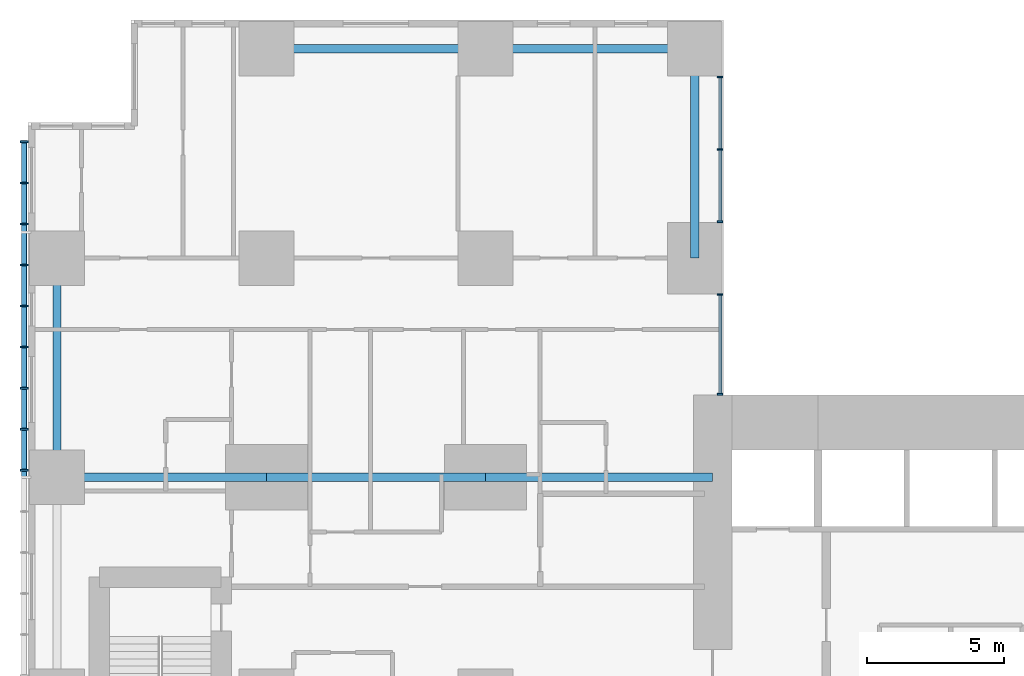
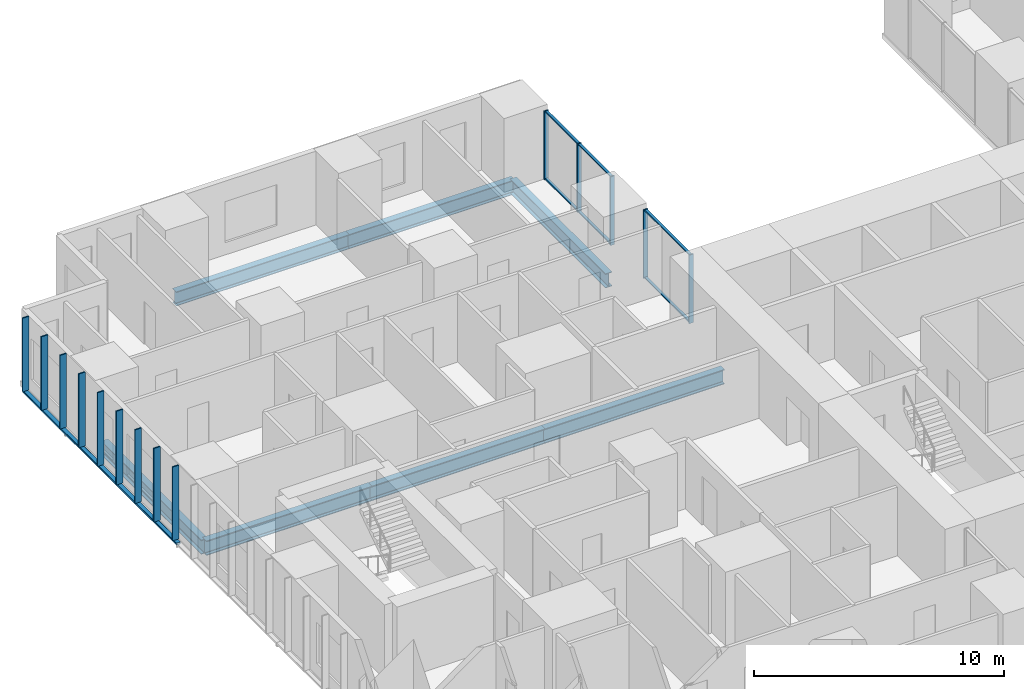
# One storey, part 4 of 21: 21 members, 7 beams, 2 elements without a shape of their own.
"""IFC4 building model written with IfcOpenShell, lengths in metres."""

import ifcopenshell
import ifcopenshell.guid

model = None  # the IFC model being written
_history = None  # IfcOwnerHistory: only IFC2X3 demands one
_inside = {}  # id of a spatial element -> (the spatial element, [elements in it])
_under = {}  # id of a project, library or spatial element -> (it, [spatial elements below it])
_declared = {}  # id of a project -> (the project, [libraries it declares])
_typed = {}  # id of a type object -> (the type object, [elements of that type])
_made_of = {}  # id of a material, layer set ... -> (it, [elements and type objects made of it])


def new_model(schema):
    """Start an empty IFC model of exactly this schema.

    Asked for "IFC4X3", IfcOpenShell would pick the latest addendum, in which some entities
    have other attributes; the version numbers below select the first issue.
    IFC2X3 requires an IfcOwnerHistory on every rooted entity: one is made here for all.
    """
    global model, _history
    if schema == "IFC4X3":
        model = ifcopenshell.file(schema_version=(4, 3, 0, 0))
    else:
        model = ifcopenshell.file(schema=schema)
    _inside.clear()
    _under.clear()
    _declared.clear()
    _typed.clear()
    _made_of.clear()
    _history = None
    if model.schema == "IFC2X3":
        org = make("IfcOrganization", Name="unknown")
        user = make(
            "IfcPersonAndOrganization",
            ThePerson=make("IfcPerson", FamilyName="unknown"),
            TheOrganization=org,
        )
        app = make(
            "IfcApplication",
            ApplicationDeveloper=org,
            Version="unknown",
            ApplicationFullName="unknown",
            ApplicationIdentifier="unknown",
        )
        _history = make(
            "IfcOwnerHistory",
            OwningUser=user,
            OwningApplication=app,
            ChangeAction="ADDED",
            CreationDate=0,
        )
    return model


def make(cls, **values):
    """One entity of the class cls with the attributes given. An attribute that is None is left unset."""
    return model.create_entity(
        cls, **{name: value for name, value in values.items() if value is not None}
    )


def rooted(cls, **values):
    """An entity with a GlobalId (a new one), such as an element, a storey or a relation."""
    return make(cls, GlobalId=ifcopenshell.guid.new(), OwnerHistory=_history, **values)


def si_unit(unit_type, name, prefix=None):
    """IfcSIUnit, for example si_unit("LENGTHUNIT", "METRE", prefix="MILLI")."""
    return make("IfcSIUnit", UnitType=unit_type, Prefix=prefix, Name=name)


def assignment(units):
    """IfcUnitAssignment: the units of a project."""
    return None if units is None else make("IfcUnitAssignment", Units=units)


def point(xyz):
    """IfcCartesianPoint."""
    return None if xyz is None else make("IfcCartesianPoint", Coordinates=xyz)


def direction(xyz):
    """IfcDirection."""
    return None if xyz is None else make("IfcDirection", DirectionRatios=xyz)


def frame(location, z_axis=None, x_axis=None):
    """IfcAxis2Placement3D, a coordinate frame: its origin and axes. An axis left out is left unset."""
    return make(
        "IfcAxis2Placement3D",
        Location=point(location),
        Axis=direction(z_axis),
        RefDirection=direction(x_axis),
    )


def frame_2d(location, x_axis=None):
    """IfcAxis2Placement2D, a coordinate frame in the plane: its origin and x axis."""
    return make(
        "IfcAxis2Placement2D", Location=point(location), RefDirection=direction(x_axis)
    )


def origin():
    """The frame at (0, 0, 0) with its axes left unset."""
    return frame((0.0, 0.0, 0.0))


def origin_2d():
    """The frame at (0, 0) in the plane with its x axis left unset."""
    return frame_2d((0.0, 0.0))


def place(relative_to, where):
    """IfcLocalPlacement: puts the frame where relative to a parent placement (None: the world)."""
    return make(
        "IfcLocalPlacement", PlacementRelTo=relative_to, RelativePlacement=where
    )


def context(
    kind, dimensions, precision=None, world=None, true_north=None, identifier=None
):
    """IfcGeometricRepresentationContext, for example the 3D "Model" context."""
    return make(
        "IfcGeometricRepresentationContext",
        ContextIdentifier=identifier,
        ContextType=kind,
        CoordinateSpaceDimension=dimensions,
        Precision=precision,
        WorldCoordinateSystem=world,
        TrueNorth=true_north,
    )


def subcontext(parent, identifier, kind, view, scale=None):
    """IfcGeometricRepresentationSubContext, for example "Body" below "Model"."""
    return make(
        "IfcGeometricRepresentationSubContext",
        ContextIdentifier=identifier,
        ContextType=kind,
        ParentContext=parent,
        TargetScale=scale,
        TargetView=view,
    )


def project(units=None, contexts=None):
    """IfcProject with its units and contexts."""
    return rooted(
        "IfcProject",
        Name="project",
        RepresentationContexts=contexts,
        UnitsInContext=assignment(units),
    )


def spatial(cls, under=None, at=None, **own):
    """A site, building, storey or space (cls), placed at a placement, below another one or the project."""
    s = rooted(cls, ObjectPlacement=at, **own)
    if under is not None:
        _under.setdefault(under.id(), (under, []))[1].append(s)
    return s


def profile(cls, at=None, kind="AREA", **sizes):
    """A parametric profile (cls). Its sizes go by their IFC names, for example OverallWidth=200.0."""
    return make(cls, ProfileType=kind, Position=at, **sizes)


def rectangle(**sizes):
    """IfcRectangleProfileDef."""
    return profile("IfcRectangleProfileDef", **sizes)


def hollow_rectangle(**sizes):
    """IfcRectangleHollowProfileDef."""
    return profile("IfcRectangleHollowProfileDef", **sizes)


def i_section(**sizes):
    """IfcIShapeProfileDef."""
    return profile("IfcIShapeProfileDef", **sizes)


def extrude(swept, where, along, depth):
    """IfcExtrudedAreaSolid: the profile swept, set in the frame where, extruded along a direction by depth."""
    return make(
        "IfcExtrudedAreaSolid",
        SweptArea=swept,
        Position=where,
        ExtrudedDirection=direction(along),
        Depth=depth,
    )


def shape(context_of_items, identifier, shape_type, items):
    """IfcShapeRepresentation: the items that make up one representation, for example the "Body"."""
    return make(
        "IfcShapeRepresentation",
        ContextOfItems=context_of_items,
        RepresentationIdentifier=identifier,
        RepresentationType=shape_type,
        Items=items,
    )


def material(Name=None, Category=None):
    """IfcMaterial."""
    return make("IfcMaterial", Name=Name, Category=Category)


def layer(
    of_material, thickness, ventilated=None, Name=None, Category=None, Priority=None
):
    """IfcMaterialLayer: one layer of a wall or slab, of a material (None: an air gap)."""
    return make(
        "IfcMaterialLayer",
        Material=of_material,
        LayerThickness=thickness,
        IsVentilated=ventilated,
        Name=Name,
        Category=Category,
        Priority=Priority,
    )


def layer_set(layers, Name=None):
    """IfcMaterialLayerSet."""
    return make("IfcMaterialLayerSet", MaterialLayers=layers, LayerSetName=Name)


def material_profile(
    of_material, cross_section, Name=None, Category=None, Priority=None
):
    """IfcMaterialProfile: a cross section and its material."""
    return make(
        "IfcMaterialProfile",
        Name=Name,
        Material=of_material,
        Profile=cross_section,
        Priority=Priority,
        Category=Category,
    )


def profile_set(profiles, Name=None, composite=None):
    """IfcMaterialProfileSet."""
    return make(
        "IfcMaterialProfileSet",
        Name=Name,
        MaterialProfiles=profiles,
        CompositeProfile=composite,
    )


def made_of(thing, what):
    """Note that an element or type object is made of a material, layer set ...; save() writes the relation."""
    if what is not None:
        _made_of.setdefault(what.id(), (what, []))[1].append(thing)
    return thing


def type_object(cls, material=None, **own):
    """A type object (cls), such as IfcWallType, which elements share."""
    return made_of(rooted(cls, **own), material)


def element(
    cls,
    number,
    at=None,
    inside=None,
    cuts=None,
    type_object=None,
    material=None,
    context=None,
    identifier="Body",
    shape_type=None,
    held_by="IfcProductDefinitionShape",
    body=None,
    shapes=None,
    **own,
):
    """One element of the class cls, such as IfcWall. Its Tag is "e" and its number.

    at: its placement. inside: the storey or other place that contains it. cuts: it is an
    opening in that element (IfcRelVoidsElement). A single representation is given by context,
    identifier, shape_type and body (its items); several are given by shapes. held_by: the class
    of the entity that holds the representations. save() writes the other relations.
    """
    e = rooted(cls, Tag="e%d" % number, ObjectPlacement=at, **own)
    if body is not None:
        shapes = [shape(context, identifier, shape_type, body)]
    if shapes is not None:
        e.Representation = make(held_by, Representations=shapes)
    if inside is not None:
        _inside.setdefault(inside.id(), (inside, []))[1].append(e)
    if cuts is not None:
        rooted(
            "IfcRelVoidsElement", RelatingBuildingElement=cuts, RelatedOpeningElement=e
        )
    if type_object is not None:
        _typed.setdefault(type_object.id(), (type_object, []))[1].append(e)
    return made_of(e, material)


def aggregate(whole, parts):
    """IfcRelAggregates: a whole, such as a stair, and the parts it consists of."""
    return rooted("IfcRelAggregates", RelatingObject=whole, RelatedObjects=parts)


def save(model, path):
    """Write the relations noted so far, then the file.

    IfcRelAggregates (storeys below a building ...), IfcRelContainedInSpatialStructure (elements
    in a storey), IfcRelDefinesByType, IfcRelAssociatesMaterial and IfcRelDeclares: one each for
    every whole, place, type object, material and project.
    """
    for whole, parts in _under.values():
        aggregate(whole, parts)
    for where, things in _inside.values():
        rooted(
            "IfcRelContainedInSpatialStructure",
            RelatedElements=things,
            RelatingStructure=where,
        )
    for kind, things in _typed.values():
        rooted("IfcRelDefinesByType", RelatedObjects=things, RelatingType=kind)
    for what, things in _made_of.values():
        rooted("IfcRelAssociatesMaterial", RelatedObjects=things, RelatingMaterial=what)
    for by, libraries in _declared.values():
        rooted("IfcRelDeclares", RelatingContext=by, RelatedDefinitions=libraries)
    model.write(path)


model = new_model("IFC4")

# Units and contexts
model_context = context("Model", 3, precision=1e-05, world=origin(), true_north=direction((0.0, 1.0)))
body_context = subcontext(model_context, "Body", "Model", "MODEL_VIEW")
ifc_project = project(units=[si_unit("LENGTHUNIT", "METRE"), si_unit("AREAUNIT", "SQUARE_METRE"), si_unit("VOLUMEUNIT", "CUBIC_METRE"), si_unit("PLANEANGLEUNIT", "RADIAN"), si_unit("MASSUNIT", "GRAM", prefix="KILO")], contexts=[model_context])

# Site, building, storey
site_placement = place(None, origin())
site = spatial("IfcSite", under=ifc_project, at=site_placement, CompositionType="ELEMENT")
building_placement = place(site_placement, origin())
building = spatial("IfcBuilding", under=site, at=building_placement, Name="Cleftline Residences", CompositionType="ELEMENT")
storey_placement = place(building_placement, frame((0.0, 0.0, 65.60009765625)))
storey = spatial("IfcBuildingStorey", under=building, at=storey_placement, Name="L16", CompositionType="ELEMENT", Elevation=65.60009765625)

# Member
ifc_material_1 = material(Name="Steel S355, hot-dip galvanised", Category="steel")
ifc_material_profile_1 = material_profile(ifc_material_1, hollow_rectangle(XDim=0.10009765625, YDim=0.199951171875, WallThickness=0.008056640625, InnerFilletRadius=0.008056640625, OuterFilletRadius=0.011962890625, at=origin_2d()))
ifc_profile_set_1 = profile_set([ifc_material_profile_1], Name="Steel S355, hot-dip galvanised")
member_type_1 = type_object("IfcMemberType", Name="BAGUETTE CARRIER RHS 200X100X8", PredefinedType="USERDEFINED", material=ifc_profile_set_1)
member_1_placement = place(storey_placement, frame((-0.85009765625, 44.300048828125, -0.050048828125), z_axis=(0.0, -1.0, 0.0), x_axis=(0.0, 0.0, 1.0)))
element("IfcMember", 1, at=member_1_placement, inside=storey, type_object=member_type_1, Name="Baguette carrier", ObjectType="BAGUETTE CARRIER", PredefinedType="USERDEFINED", context=body_context, shape_type="SweptSolid", body=[
    extrude(hollow_rectangle(XDim=0.10009765625, YDim=0.199951171875, WallThickness=0.008056640625, InnerFilletRadius=0.008056640625, OuterFilletRadius=0.011962890625, at=origin_2d()), origin(), (0.0, 0.0, 1.0), 12.300048828125),
])

# Beams
ifc_material_2 = material(Name="Steel S355", Category="steel")
ifc_material_profile_2 = material_profile(ifc_material_2, i_section(OverallWidth=0.300048828125, OverallDepth=0.699951171875, WebThickness=0.01708984375, FlangeThickness=0.031982421875, FilletRadius=0.027099609375, at=origin_2d()))
ifc_profile_set_2 = profile_set([ifc_material_profile_2], Name="Steel S355")
beam_type_1 = type_object("IfcBeamType", Name="BEAM HEB 700", PredefinedType="BEAM", material=ifc_profile_set_2)
for number, where, z_axis, x_axis, name in (
    (2, (0.35009765625, 32.0, -0.60009765625), (0.0, 1.0, 0.0), (-1.0, 0.0, 0.0), "Edge beam"),
    (3, (8.0, 47.64990234375, -0.60009765625), (1.0, 0.0, 0.0), (0.0, 1.0, 0.0), "Edge beam"),
):
    element("IfcBeam", number, at=place(storey_placement, frame(where, z_axis=z_axis, x_axis=x_axis)), inside=storey, type_object=beam_type_1, Name=name, PredefinedType="BEAM", context=body_context, shape_type="SweptSolid", body=[
        extrude(i_section(OverallWidth=0.300048828125, OverallDepth=0.699951171875, WebThickness=0.01708984375, FlangeThickness=0.031982421875, FilletRadius=0.027099609375, at=origin_2d()), origin(), (0.0, 0.0, 1.0), 8.0),
    ])
for number, where, z_axis, x_axis, name in (
    (4, (16.0, 47.64990234375, -0.60009765625), (1.0, 0.0, 0.0), (0.0, 1.0, 0.0), "Edge beam"),
    (5, (23.64990234375, 47.64990234375, -0.60009765625), (0.0, -1.0, 0.0), (1.0, 0.0, 0.0), "Edge beam"),
):
    element("IfcBeam", number, at=place(storey_placement, frame(where, z_axis=z_axis, x_axis=x_axis)), inside=storey, type_object=beam_type_1, Name=name, PredefinedType="BEAM", context=body_context, shape_type="SweptSolid", body=[
        extrude(i_section(OverallWidth=0.300048828125, OverallDepth=0.699951171875, WebThickness=0.01708984375, FlangeThickness=0.031982421875, FilletRadius=0.027099609375, at=origin_2d()), origin(), (0.0, 0.0, 1.0), 7.64990234375),
    ])
ifc_material_3 = material(Name="Steel S355", Category="steel")
ifc_material_profile_3 = material_profile(ifc_material_3, i_section(OverallWidth=0.303955078125, OverallDepth=0.716064453125, WebThickness=0.02099609375, FlangeThickness=0.0400390625, FilletRadius=0.027099609375, at=origin_2d()))
ifc_profile_set_3 = profile_set([ifc_material_profile_3], Name="Steel S355")
beam_type_2 = type_object("IfcBeamType", Name="BEAM HEM 700", PredefinedType="BEAM", material=ifc_profile_set_3)
beam_1_placement = place(storey_placement, frame((0.35009765625, 32.0, -0.608154296875), z_axis=(1.0, 0.0, 0.0), x_axis=(0.0, 1.0, 0.0)))
element("IfcBeam", 6, at=beam_1_placement, inside=storey, type_object=beam_type_2, Name="Band beam", PredefinedType="BEAM", context=body_context, shape_type="SweptSolid", body=[
    extrude(i_section(OverallWidth=0.303955078125, OverallDepth=0.716064453125, WebThickness=0.02099609375, FlangeThickness=0.0400390625, FilletRadius=0.027099609375, at=origin_2d()), origin(), (0.0, 0.0, 1.0), 7.64990234375),
])
beam_2_placement = place(storey_placement, frame((8.0, 32.0, -0.608154296875), z_axis=(1.0, 0.0, 0.0), x_axis=(0.0, 1.0, 0.0)))
element("IfcBeam", 7, at=beam_2_placement, inside=storey, type_object=beam_type_2, Name="Band beam", PredefinedType="BEAM", context=body_context, shape_type="SweptSolid", body=[
    extrude(i_section(OverallWidth=0.303955078125, OverallDepth=0.716064453125, WebThickness=0.02099609375, FlangeThickness=0.0400390625, FilletRadius=0.027099609375, at=origin_2d()), origin(), (0.0, 0.0, 1.0), 8.0),
])
beam_3_placement = place(storey_placement, frame((16.0, 32.0, -0.608154296875), z_axis=(1.0, 0.0, 0.0), x_axis=(0.0, 1.0, 0.0)))
element("IfcBeam", 8, at=beam_3_placement, inside=storey, type_object=beam_type_2, Name="Band beam", PredefinedType="BEAM", context=body_context, shape_type="SweptSolid", body=[
    extrude(i_section(OverallWidth=0.303955078125, OverallDepth=0.716064453125, WebThickness=0.02099609375, FlangeThickness=0.0400390625, FilletRadius=0.027099609375, at=origin_2d()), origin(), (0.0, 0.0, 1.0), 8.300048828125),
])

# Curtain wall, members
ifc_material_4 = material(Name="Aluminium framed curtain wall", Category="aluminium")
ifc_layer = layer(ifc_material_4, 0.199951171875)
ifc_layer_set = layer_set([ifc_layer], Name="CW1 CLEFT GLAZING")
curtain_wall_type = type_object("IfcCurtainWallType", Name="CW1 CLEFT GLAZING", PredefinedType="NOTDEFINED", material=ifc_layer_set)
curtain_wall_1_placement = place(storey_placement, origin())
curtain_wall_1 = element("IfcCurtainWall", 9, at=curtain_wall_1_placement, inside=storey, type_object=curtain_wall_type, Name="Curtain wall CW1", PredefinedType="NOTDEFINED")
ifc_material_5 = material(Name="Aluminium mullion", Category="aluminium")
ifc_material_profile_4 = material_profile(ifc_material_5, rectangle(XDim=0.199951171875, YDim=0.06005859375, at=origin_2d()))
ifc_profile_set_4 = profile_set([ifc_material_profile_4], Name="Aluminium mullion")
member_type_2 = type_object("IfcMemberType", Name="CW1 MULLION", PredefinedType="MULLION", material=ifc_profile_set_4)
member_2_placement = place(storey_placement, frame((24.574951171875, 35.030029296875, 0.0), z_axis=(0.0, 0.0, 1.0), x_axis=(-1.0, 0.0, 0.0)))
member_2 = element("IfcMember", 10, at=member_2_placement, type_object=member_type_2, Name="CW1 mullion 1", PredefinedType="MULLION", context=body_context, shape_type="SweptSolid", body=[
    extrude(rectangle(XDim=0.199951171875, YDim=0.06005859375, at=origin_2d()), origin(), (0.0, 0.0, 1.0), 3.349853515625),
])
member_3_placement = place(storey_placement, frame((24.574951171875, 38.669921875, 0.0), z_axis=(0.0, 0.0, 1.0), x_axis=(-1.0, 0.0, 0.0)))
member_3 = element("IfcMember", 11, at=member_3_placement, type_object=member_type_2, Name="CW1 mullion 2", PredefinedType="MULLION", context=body_context, shape_type="SweptSolid", body=[
    extrude(rectangle(XDim=0.199951171875, YDim=0.06005859375, at=origin_2d()), origin(), (0.0, 0.0, 1.0), 3.349853515625),
])

curtain_wall_2_placement = place(storey_placement, origin())
curtain_wall_2 = element("IfcCurtainWall", 12, at=curtain_wall_2_placement, inside=storey, type_object=curtain_wall_type, Name="Curtain wall CW1", PredefinedType="NOTDEFINED")
member_4_placement = place(storey_placement, frame((24.574951171875, 41.330078125, 0.0), z_axis=(0.0, 0.0, 1.0), x_axis=(-1.0, 0.0, 0.0)))
member_4 = element("IfcMember", 13, at=member_4_placement, type_object=member_type_2, Name="CW1 mullion 1", PredefinedType="MULLION", context=body_context, shape_type="SweptSolid", body=[
    extrude(rectangle(XDim=0.199951171875, YDim=0.06005859375, at=origin_2d()), origin(), (0.0, 0.0, 1.0), 3.349853515625),
])
member_5_placement = place(storey_placement, frame((24.574951171875, 43.97509765625, 0.0), z_axis=(0.0, 0.0, 1.0), x_axis=(-1.0, 0.0, 0.0)))
member_5 = element("IfcMember", 14, at=member_5_placement, type_object=member_type_2, Name="CW1 mullion 2", PredefinedType="MULLION", context=body_context, shape_type="SweptSolid", body=[
    extrude(rectangle(XDim=0.199951171875, YDim=0.06005859375, at=origin_2d()), origin(), (0.0, 0.0, 1.0), 3.349853515625),
])
member_6_placement = place(storey_placement, frame((24.574951171875, 46.6201171875, 0.0), z_axis=(0.0, 0.0, 1.0), x_axis=(-1.0, 0.0, 0.0)))
member_6 = element("IfcMember", 15, at=member_6_placement, type_object=member_type_2, Name="CW1 mullion 3", PredefinedType="MULLION", context=body_context, shape_type="SweptSolid", body=[
    extrude(rectangle(XDim=0.199951171875, YDim=0.06005859375, at=origin_2d()), origin(), (0.0, 0.0, 1.0), 3.349853515625),
])

# Member
ifc_material_6 = material(Name="Aluminium transom", Category="aluminium")
ifc_material_profile_5 = material_profile(ifc_material_6, rectangle(XDim=0.1201171875, YDim=0.06005859375, at=origin_2d()))
ifc_profile_set_5 = profile_set([ifc_material_profile_5], Name="Aluminium transom")
member_type_3 = type_object("IfcMemberType", Name="CW1 TRANSOM", PredefinedType="USERDEFINED", material=ifc_profile_set_5)
member_7_placement = place(storey_placement, frame((24.574951171875, 35.06005859375, 0.02978515625), z_axis=(0.0, 1.0, 0.0), x_axis=(-1.0, 0.0, 0.0)))
member_7 = element("IfcMember", 16, at=member_7_placement, type_object=member_type_3, Name="CW1 transom 1.1", ObjectType="TRANSOM", PredefinedType="USERDEFINED", context=body_context, shape_type="SweptSolid", body=[
    extrude(rectangle(XDim=0.1201171875, YDim=0.06005859375, at=origin_2d()), origin(), (0.0, 0.0, 1.0), 3.579833984375),
])

member_8_placement = place(storey_placement, frame((24.574951171875, 35.06005859375, 3.31982421875), z_axis=(0.0, 1.0, 0.0), x_axis=(-1.0, 0.0, 0.0)))
member_8 = element("IfcMember", 17, at=member_8_placement, type_object=member_type_3, Name="CW1 transom 1.2", ObjectType="TRANSOM", PredefinedType="USERDEFINED", context=body_context, shape_type="SweptSolid", body=[
    extrude(rectangle(XDim=0.1201171875, YDim=0.06005859375, at=origin_2d()), origin(), (0.0, 0.0, 1.0), 3.579833984375),
])

aggregate(curtain_wall_1, [member_2, member_3, member_7, member_8])

member_9_placement = place(storey_placement, frame((24.574951171875, 41.360107421875, 0.02978515625), z_axis=(0.0, 1.0, 0.0), x_axis=(-1.0, 0.0, 0.0)))
member_9 = element("IfcMember", 18, at=member_9_placement, type_object=member_type_3, Name="CW1 transom 1.1", ObjectType="TRANSOM", PredefinedType="USERDEFINED", context=body_context, shape_type="SweptSolid", body=[
    extrude(rectangle(XDim=0.1201171875, YDim=0.06005859375, at=origin_2d()), origin(), (0.0, 0.0, 1.0), 2.5849609375),
])

member_10_placement = place(storey_placement, frame((24.574951171875, 41.360107421875, 3.31982421875), z_axis=(0.0, 1.0, 0.0), x_axis=(-1.0, 0.0, 0.0)))
member_10 = element("IfcMember", 19, at=member_10_placement, type_object=member_type_3, Name="CW1 transom 1.2", ObjectType="TRANSOM", PredefinedType="USERDEFINED", context=body_context, shape_type="SweptSolid", body=[
    extrude(rectangle(XDim=0.1201171875, YDim=0.06005859375, at=origin_2d()), origin(), (0.0, 0.0, 1.0), 2.5849609375),
])

member_11_placement = place(storey_placement, frame((24.574951171875, 44.0048828125, 0.02978515625), z_axis=(0.0, 1.0, 0.0), x_axis=(-1.0, 0.0, 0.0)))
member_11 = element("IfcMember", 20, at=member_11_placement, type_object=member_type_3, Name="CW1 transom 2.1", ObjectType="TRANSOM", PredefinedType="USERDEFINED", context=body_context, shape_type="SweptSolid", body=[
    extrude(rectangle(XDim=0.1201171875, YDim=0.06005859375, at=origin_2d()), origin(), (0.0, 0.0, 1.0), 2.585205078125),
])

member_12_placement = place(storey_placement, frame((24.574951171875, 44.0048828125, 3.31982421875), z_axis=(0.0, 1.0, 0.0), x_axis=(-1.0, 0.0, 0.0)))
member_12 = element("IfcMember", 21, at=member_12_placement, type_object=member_type_3, Name="CW1 transom 2.2", ObjectType="TRANSOM", PredefinedType="USERDEFINED", context=body_context, shape_type="SweptSolid", body=[
    extrude(rectangle(XDim=0.1201171875, YDim=0.06005859375, at=origin_2d()), origin(), (0.0, 0.0, 1.0), 2.585205078125),
])

aggregate(curtain_wall_2, [member_4, member_5, member_6, member_9, member_10, member_11, member_12])

# Members
ifc_material_7 = material(Name="Extruded terracotta", Category="masonry")
ifc_material_profile_6 = material_profile(ifc_material_7, rectangle(XDim=0.06005859375, YDim=0.300048828125, at=origin_2d()))
ifc_profile_set_6 = profile_set([ifc_material_profile_6], Name="Extruded terracotta")
member_type_4 = type_object("IfcMemberType", Name="TERRACOTTA BAGUETTE 60X300", PredefinedType="USERDEFINED", material=ifc_profile_set_6)
for number, where, z_axis, x_axis, name in (
    (22, (-0.85009765625, 44.25, 0.0), (0.0, 0.0, 1.0), (0.0, 1.0, 0.0), "Terracotta baguette"),
    (23, (-0.85009765625, 42.75, 0.0), (0.0, 0.0, 1.0), (0.0, 1.0, 0.0), "Terracotta baguette"),
    (24, (-0.85009765625, 41.25, 0.0), (0.0, 0.0, 1.0), (0.0, 1.0, 0.0), "Terracotta baguette"),
    (25, (-0.85009765625, 39.75, 0.0), (0.0, 0.0, 1.0), (0.0, 1.0, 0.0), "Terracotta baguette"),
    (26, (-0.85009765625, 38.25, 0.0), (0.0, 0.0, 1.0), (0.0, 1.0, 0.0), "Terracotta baguette"),
    (27, (-0.85009765625, 36.75, 0.0), (0.0, 0.0, 1.0), (0.0, 1.0, 0.0), "Terracotta baguette"),
    (28, (-0.85009765625, 35.25, 0.0), (0.0, 0.0, 1.0), (0.0, 1.0, 0.0), "Terracotta baguette"),
    (29, (-0.85009765625, 33.75, 0.0), (0.0, 0.0, 1.0), (0.0, 1.0, 0.0), "Terracotta baguette"),
    (30, (-0.85009765625, 32.25, 0.0), (0.0, 0.0, 1.0), (0.0, 1.0, 0.0), "Terracotta baguette"),
):
    element("IfcMember", number, at=place(storey_placement, frame(where, z_axis=z_axis, x_axis=x_axis)), inside=storey, type_object=member_type_4, Name=name, ObjectType="BAGUETTE", PredefinedType="USERDEFINED", context=body_context, shape_type="SweptSolid", body=[
        extrude(rectangle(XDim=0.06005859375, YDim=0.300048828125, at=origin_2d()), origin(), (0.0, 0.0, 1.0), 3.599853515625),
    ])

save(model, "model.ifc")
